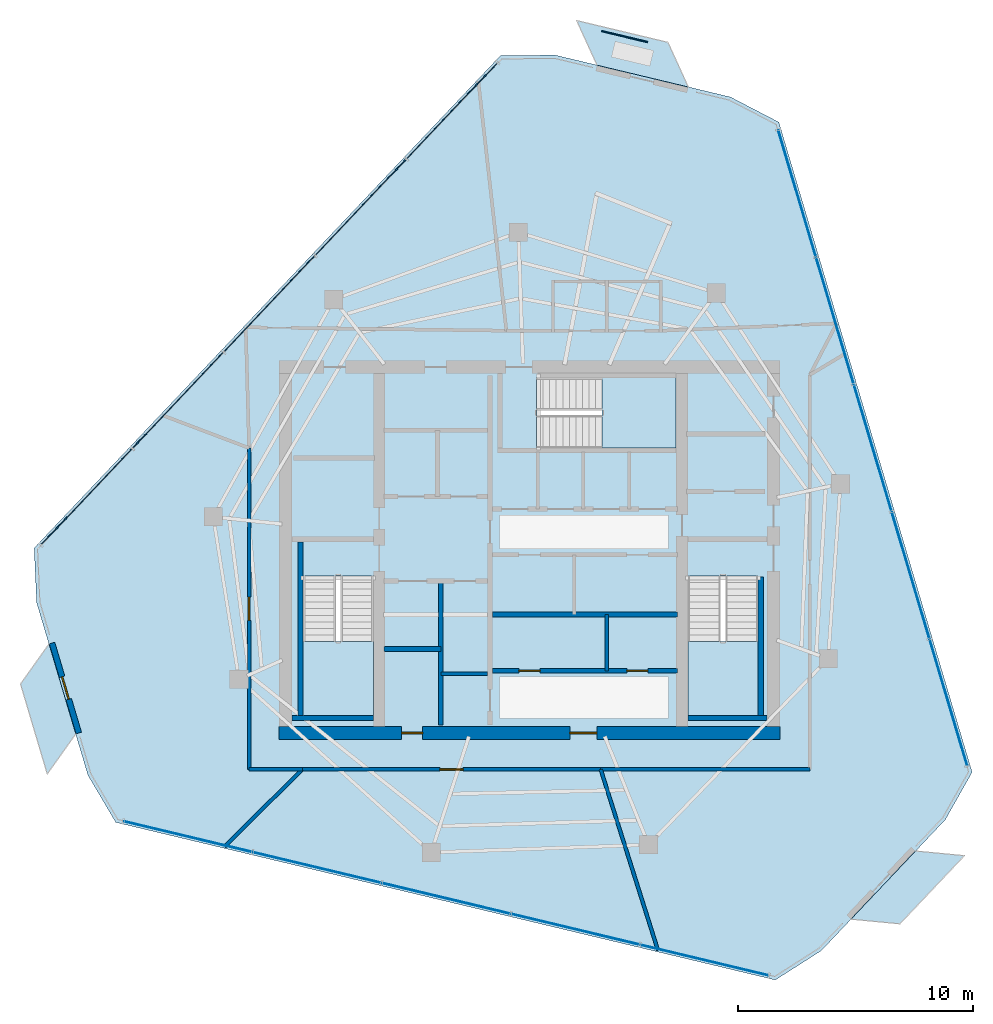
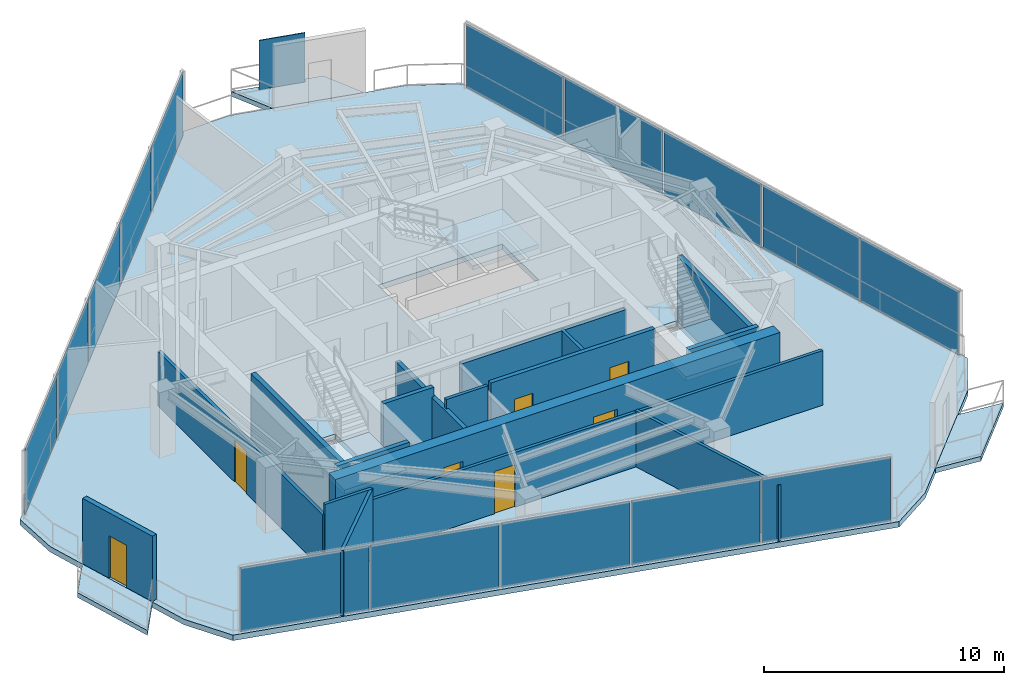
# One storey, part 14 of 18: 18 walls, 16 plates, 7 doors, 7 slabs, 7 openings, 6 elements without a shape of their own.
"""IFC4 building model written with IfcOpenShell, lengths in metres."""

from ifc_helpers import new_model, si_unit, direction, frame, frame_2d, origin, origin_2d, place, context, subcontext, project, spatial, polyline, rectangle, outline, extrude, material, layer, layer_set, type_object, element, fill, aggregate, save


model = new_model("IFC4")

# Units and contexts
model_context = context("Model", 3, precision=1e-05, world=origin(), true_north=direction((0.0, 1.0)))
body_context = subcontext(model_context, "Body", "Model", "MODEL_VIEW")
ifc_project = project(units=[si_unit("LENGTHUNIT", "METRE"), si_unit("AREAUNIT", "SQUARE_METRE"), si_unit("VOLUMEUNIT", "CUBIC_METRE"), si_unit("PLANEANGLEUNIT", "RADIAN"), si_unit("MASSUNIT", "GRAM", prefix="KILO")], contexts=[model_context])

# Site, building, storey
site_placement = place(None, origin())
site = spatial("IfcSite", under=ifc_project, at=site_placement, CompositionType="ELEMENT")
building_placement = place(site_placement, origin())
building = spatial("IfcBuilding", under=site, at=building_placement, Name="Qarnah Convention Tower", CompositionType="ELEMENT")
storey_placement = place(building_placement, frame((0.0, 0.0, 242.699951171875)))
storey = spatial("IfcBuildingStorey", under=building, at=storey_placement, Name="L65", CompositionType="ELEMENT", Elevation=242.699951171875)

# Curtain wall, plates
ifc_material_1 = material(Name="Tempered Low-E dark glass", Category="glass")
ifc_layer_1 = layer(ifc_material_1, 0.176025390625)
ifc_layer_set_1 = layer_set([ifc_layer_1], Name="Tempered Low-E dark glass")
curtain_wall_type = type_object("IfcCurtainWallType", Name="CWS-05", PredefinedType="NOTDEFINED", material=ifc_layer_set_1)
curtain_wall_1_placement = place(storey_placement, origin())
curtain_wall_1 = element("IfcCurtainWall", 1, at=curtain_wall_1_placement, inside=storey, type_object=curtain_wall_type, Name="L65 unitised curtain wall CW-L65-F1", PredefinedType="NOTDEFINED")
ifc_layer_2 = layer(ifc_material_1, 0.035888671875)
ifc_layer_set_2 = layer_set([ifc_layer_2], Name="Tempered Low-E dark glass")
plate_type_1 = type_object("IfcPlateType", Name="PNL-T5", PredefinedType="CURTAIN_PANEL", material=ifc_layer_set_2)
plate_1_placement = place(storey_placement, frame((18.3291015625, 28.67724609375, 0.0400390625), z_axis=(0.0, 0.0, 1.0), x_axis=(0.687589797822, 0.726099352658, 0.0)))
plate_1 = element("IfcPlate", 2, at=plate_1_placement, type_object=plate_type_1, Name="CW-L65-F1 curtain panel 1.1", PredefinedType="CURTAIN_PANEL", context=body_context, shape_type="SweptSolid", body=[
    extrude(rectangle(XDim=5.5810546875, YDim=0.035888671875, at=origin_2d()), origin(), (0.0, 0.0, 1.0), 3.239990234375),
])
plate_2_placement = place(storey_placement, frame((22.2216796875, 32.78759765625, 0.0400390625), z_axis=(0.0, 0.0, 1.0), x_axis=(0.687589797822, 0.726099352658, 0.0)))
plate_2 = element("IfcPlate", 3, at=plate_2_placement, type_object=plate_type_1, Name="CW-L65-F1 curtain panel 2.1", PredefinedType="CURTAIN_PANEL", context=body_context, shape_type="SweptSolid", body=[
    extrude(rectangle(XDim=5.5810546875, YDim=0.035888671875, at=origin_2d()), origin(), (0.0, 0.0, 1.0), 3.239990234375),
])
plate_3_placement = place(storey_placement, frame((26.114013671875, 36.89794921875, 0.0400390625), z_axis=(0.0, 0.0, 1.0), x_axis=(0.687589797822, 0.726099352658, 0.0)))
plate_3 = element("IfcPlate", 4, at=plate_3_placement, type_object=plate_type_1, Name="CW-L65-F1 curtain panel 3.1", PredefinedType="CURTAIN_PANEL", context=body_context, shape_type="SweptSolid", body=[
    extrude(rectangle(XDim=5.5810546875, YDim=0.035888671875, at=origin_2d()), origin(), (0.0, 0.0, 1.0), 3.239990234375),
])
plate_4_placement = place(storey_placement, frame((30.00634765625, 41.00830078125, 0.0400390625), z_axis=(0.0, 0.0, 1.0), x_axis=(0.687589797822, 0.726099352658, 0.0)))
plate_4 = element("IfcPlate", 5, at=plate_4_placement, type_object=plate_type_1, Name="CW-L65-F1 curtain panel 4.1", PredefinedType="CURTAIN_PANEL", context=body_context, shape_type="SweptSolid", body=[
    extrude(rectangle(XDim=5.5810546875, YDim=0.035888671875, at=origin_2d()), origin(), (0.0, 0.0, 1.0), 3.239990234375),
])
plate_5_placement = place(storey_placement, frame((33.898681640625, 45.118896484375, 0.0400390625), z_axis=(0.0, 0.0, 1.0), x_axis=(0.687589797822, 0.726099352658, 0.0)))
plate_5 = element("IfcPlate", 6, at=plate_5_placement, type_object=plate_type_1, Name="CW-L65-F1 curtain panel 5.1", PredefinedType="CURTAIN_PANEL", context=body_context, shape_type="SweptSolid", body=[
    extrude(rectangle(XDim=5.5810546875, YDim=0.035888671875, at=origin_2d()), origin(), (0.0, 0.0, 1.0), 3.239990234375),
])
aggregate(curtain_wall_1, [plate_1, plate_2, plate_3, plate_4, plate_5])

curtain_wall_2_placement = place(storey_placement, origin())
curtain_wall_2 = element("IfcCurtainWall", 7, at=curtain_wall_2_placement, inside=storey, type_object=curtain_wall_type, Name="L65 unitised curtain wall CW-L65-F2", PredefinedType="NOTDEFINED")
plate_6_placement = place(storey_placement, frame((48.606689453125, 41.60302734375, 0.0400390625), z_axis=(0.0, 0.0, 1.0), x_axis=(0.285022909469, -0.958520704564, 0.0)))
plate_6 = element("IfcPlate", 8, at=plate_6_placement, type_object=plate_type_1, Name="CW-L65-F2 curtain panel 1.1", PredefinedType="CURTAIN_PANEL", context=body_context, shape_type="SweptSolid", body=[
    extrude(rectangle(XDim=5.58056640625, YDim=0.035888671875, at=origin_2d()), origin(), (0.0, 0.0, 1.0), 3.239990234375),
])
plate_7_placement = place(storey_placement, frame((50.22021484375, 36.17724609375, 0.0400390625), z_axis=(0.0, 0.0, 1.0), x_axis=(0.285022909469, -0.958520704564, 0.0)))
plate_7 = element("IfcPlate", 9, at=plate_7_placement, type_object=plate_type_1, Name="CW-L65-F2 curtain panel 2.1", PredefinedType="CURTAIN_PANEL", context=body_context, shape_type="SweptSolid", body=[
    extrude(rectangle(XDim=5.58056640625, YDim=0.035888671875, at=origin_2d()), origin(), (0.0, 0.0, 1.0), 3.239990234375),
])
plate_8_placement = place(storey_placement, frame((51.83349609375, 30.75146484375, 0.0400390625), z_axis=(0.0, 0.0, 1.0), x_axis=(0.285022909469, -0.958520704564, 0.0)))
plate_8 = element("IfcPlate", 10, at=plate_8_placement, type_object=plate_type_1, Name="CW-L65-F2 curtain panel 3.1", PredefinedType="CURTAIN_PANEL", context=body_context, shape_type="SweptSolid", body=[
    extrude(rectangle(XDim=5.58056640625, YDim=0.035888671875, at=origin_2d()), origin(), (0.0, 0.0, 1.0), 3.239990234375),
])
plate_9_placement = place(storey_placement, frame((53.447021484375, 25.32568359375, 0.0400390625), z_axis=(0.0, 0.0, 1.0), x_axis=(0.285022909469, -0.958520704564, 0.0)))
plate_9 = element("IfcPlate", 11, at=plate_9_placement, type_object=plate_type_1, Name="CW-L65-F2 curtain panel 4.1", PredefinedType="CURTAIN_PANEL", context=body_context, shape_type="SweptSolid", body=[
    extrude(rectangle(XDim=5.58056640625, YDim=0.035888671875, at=origin_2d()), origin(), (0.0, 0.0, 1.0), 3.239990234375),
])
plate_10_placement = place(storey_placement, frame((55.060302734375, 19.89990234375, 0.0400390625), z_axis=(0.0, 0.0, 1.0), x_axis=(0.285022909469, -0.958520704564, 0.0)))
plate_10 = element("IfcPlate", 12, at=plate_10_placement, type_object=plate_type_1, Name="CW-L65-F2 curtain panel 5.1", PredefinedType="CURTAIN_PANEL", context=body_context, shape_type="SweptSolid", body=[
    extrude(rectangle(XDim=5.58056640625, YDim=0.035888671875, at=origin_2d()), origin(), (0.0, 0.0, 1.0), 3.239990234375),
])
aggregate(curtain_wall_2, [plate_6, plate_7, plate_8, plate_9, plate_10])

curtain_wall_3_placement = place(storey_placement, origin())
curtain_wall_3 = element("IfcCurtainWall", 13, at=curtain_wall_3_placement, inside=storey, type_object=curtain_wall_type, Name="L65 unitised curtain wall CW-L65-F3", PredefinedType="NOTDEFINED")
plate_11_placement = place(storey_placement, frame((44.662353515625, 8.9189453125, 0.0400390625), z_axis=(0.0, 0.0, 1.0), x_axis=(-0.972607205471, 0.232454778111, 0.0)))
plate_11 = element("IfcPlate", 14, at=plate_11_placement, type_object=plate_type_1, Name="CW-L65-F3 curtain panel 1.1", PredefinedType="CURTAIN_PANEL", context=body_context, shape_type="SweptSolid", body=[
    extrude(rectangle(XDim=5.58056640625, YDim=0.035888671875, at=origin_2d()), origin(), (0.0, 0.0, 1.0), 3.239990234375),
])
plate_12_placement = place(storey_placement, frame((39.156982421875, 10.234619140625, 0.0400390625), z_axis=(0.0, 0.0, 1.0), x_axis=(-0.972607205471, 0.232454778111, 0.0)))
plate_12 = element("IfcPlate", 15, at=plate_12_placement, type_object=plate_type_1, Name="CW-L65-F3 curtain panel 2.1", PredefinedType="CURTAIN_PANEL", context=body_context, shape_type="SweptSolid", body=[
    extrude(rectangle(XDim=5.58056640625, YDim=0.035888671875, at=origin_2d()), origin(), (0.0, 0.0, 1.0), 3.239990234375),
])
plate_13_placement = place(storey_placement, frame((33.651611328125, 11.550537109375, 0.0400390625), z_axis=(0.0, 0.0, 1.0), x_axis=(-0.972607205471, 0.232454778111, 0.0)))
plate_13 = element("IfcPlate", 16, at=plate_13_placement, type_object=plate_type_1, Name="CW-L65-F3 curtain panel 3.1", PredefinedType="CURTAIN_PANEL", context=body_context, shape_type="SweptSolid", body=[
    extrude(rectangle(XDim=5.58056640625, YDim=0.035888671875, at=origin_2d()), origin(), (0.0, 0.0, 1.0), 3.239990234375),
])
plate_14_placement = place(storey_placement, frame((28.14599609375, 12.8662109375, 0.0400390625), z_axis=(0.0, 0.0, 1.0), x_axis=(-0.972607205471, 0.232454778111, 0.0)))
plate_14 = element("IfcPlate", 17, at=plate_14_placement, type_object=plate_type_1, Name="CW-L65-F3 curtain panel 4.1", PredefinedType="CURTAIN_PANEL", context=body_context, shape_type="SweptSolid", body=[
    extrude(rectangle(XDim=5.58056640625, YDim=0.035888671875, at=origin_2d()), origin(), (0.0, 0.0, 1.0), 3.239990234375),
])
plate_15_placement = place(storey_placement, frame((22.640625, 14.18212890625, 0.0400390625), z_axis=(0.0, 0.0, 1.0), x_axis=(-0.972607205471, 0.232454778111, 0.0)))
plate_15 = element("IfcPlate", 18, at=plate_15_placement, type_object=plate_type_1, Name="CW-L65-F3 curtain panel 5.1", PredefinedType="CURTAIN_PANEL", context=body_context, shape_type="SweptSolid", body=[
    extrude(rectangle(XDim=5.58056640625, YDim=0.035888671875, at=origin_2d()), origin(), (0.0, 0.0, 1.0), 3.239990234375),
])
aggregate(curtain_wall_3, [plate_11, plate_12, plate_13, plate_14, plate_15])

# Plate
ifc_material_2 = material(Name="Black anodised aluminium", Category="aluminium")
ifc_layer_3 = layer(ifc_material_2, 0.044921875)
ifc_layer_set_3 = layer_set([ifc_layer_3], Name="Black anodised aluminium")
plate_type_2 = type_object("IfcPlateType", Name="SCR-BAL-18", PredefinedType="USERDEFINED", material=ifc_layer_set_3)
plate_16_placement = place(storey_placement, frame((41.257080078125, 48.285888671875, 0.0), z_axis=(0.0, 0.0, 1.0), x_axis=(0.97259112891, -0.23252203329, 0.0)))
element("IfcPlate", 19, at=plate_16_placement, inside=storey, type_object=plate_type_2, Name="L65 perforated desert solar screen BAL-L65-C1", ObjectType="SCREEN", PredefinedType="USERDEFINED", context=body_context, shape_type="SweptSolid", body=[
    extrude(rectangle(XDim=2.0, YDim=0.044921875, at=origin_2d()), origin(), (0.0, 0.0, 1.0), 2.5),
])

# Slabs
ifc_material_3 = material(Name="Concrete C45/55", Category="concrete")
ifc_layer_4 = layer(ifc_material_3, 0.239990234375)
ifc_layer_set_4 = layer_set([ifc_layer_4], Name="Concrete C45/55")
slab_type_1 = type_object("IfcSlabType", Name="SLB-BAL-240", PredefinedType="USERDEFINED", material=ifc_layer_set_4)
slab_1_placement = place(storey_placement, frame((0.0, 0.0, -0.239990234375)))
element("IfcSlab", 20, at=slab_1_placement, inside=storey, type_object=slab_type_1, Name="L65 cantilevered balcony slab BAL-L65-C1", ObjectType="BALCONY", PredefinedType="USERDEFINED", context=body_context, shape_type="SweptSolid", body=[
    extrude(outline(polyline([(39.2119140625, 48.968994140625), (43.10205078125, 48.0390625), (43.970947265625, 46.135986328125), (40.08203125, 47.06494140625), (39.2119140625, 48.968994140625)])), origin(), (0.0, 0.0, 1.0), 0.239990234375),
])
slab_2_placement = place(storey_placement, frame((0.0, 0.0, -0.239990234375)))
element("IfcSlab", 21, at=slab_2_placement, inside=storey, type_object=slab_type_1, Name="L65 cantilevered balcony slab BAL-L65-C2", ObjectType="BALCONY", PredefinedType="USERDEFINED", context=body_context, shape_type="SweptSolid", body=[
    extrude(outline(polyline([(16.64892578125, 16.85791015625), (15.509033203125, 20.69189453125), (16.722900390625, 22.39794921875), (17.863037109375, 18.56396484375), (16.64892578125, 16.85791015625)])), origin(), (0.0, 0.0, 1.0), 0.239990234375),
])
slab_3_placement = place(storey_placement, frame((0.0, 0.0, -0.239990234375)))
element("IfcSlab", 22, at=slab_3_placement, inside=storey, type_object=slab_type_1, Name="L65 cantilevered balcony slab BAL-L65-C3", ObjectType="BALCONY", PredefinedType="USERDEFINED", context=body_context, shape_type="SweptSolid", body=[
    extrude(outline(polyline([(55.739013671875, 13.3740234375), (52.989013671875, 10.468994140625), (50.906005859375, 10.66796875), (53.656005859375, 13.572021484375), (55.739013671875, 13.3740234375)])), origin(), (0.0, 0.0, 1.0), 0.239990234375),
])

# Stair, slab
ifc_material_4 = material(Name="Concrete C50/60", Category="concrete")
stair_type = type_object("IfcStairType", Name="STR-OFF", PredefinedType="HALF_TURN_STAIR", material=ifc_material_4)
stair_1_placement = place(storey_placement, origin())
stair_1 = element("IfcStair", 23, at=stair_1_placement, inside=storey, type_object=stair_type, Name="L65 Core exit stair ST-1", PredefinedType="HALF_TURN_STAIR")
ifc_layer_5 = layer(ifc_material_4, 0.199951171875)
ifc_layer_set_5 = layer_set([ifc_layer_5], Name="Concrete C50/60")
slab_type_2 = type_object("IfcSlabType", Name="SLB-LANDING-200", PredefinedType="LANDING", material=ifc_layer_set_5)
slab_4_placement = place(storey_placement, frame((0.0, 0.0, 1.60009765625)))
slab_4 = element("IfcSlab", 24, at=slab_4_placement, type_object=slab_type_2, Name="ST-1 landing 1", PredefinedType="LANDING", context=body_context, shape_type="SweptSolid", body=[
    extrude(outline(polyline([(27.550048828125, 22.5), (27.550048828125, 19.35009765625), (30.550048828125, 19.35009765625), (30.550048828125, 22.5), (27.550048828125, 22.5)])), origin(), (0.0, 0.0, 1.0), 0.199951171875),
])
aggregate(stair_1, [slab_4])

stair_2_placement = place(storey_placement, origin())
stair_2 = element("IfcStair", 25, at=stair_2_placement, inside=storey, type_object=stair_type, Name="L65 Core exit stair ST-2", PredefinedType="HALF_TURN_STAIR")
slab_5_placement = place(storey_placement, frame((0.0, 0.0, 1.60009765625)))
slab_5 = element("IfcSlab", 26, at=slab_5_placement, type_object=slab_type_2, Name="ST-2 landing 1", PredefinedType="LANDING", context=body_context, shape_type="SweptSolid", body=[
    extrude(outline(polyline([(43.949951171875, 22.5), (43.949951171875, 19.35009765625), (46.949951171875, 19.35009765625), (46.949951171875, 22.5), (43.949951171875, 22.5)])), origin(), (0.0, 0.0, 1.0), 0.199951171875),
])
aggregate(stair_2, [slab_5])

stair_3_placement = place(storey_placement, origin())
stair_3 = element("IfcStair", 27, at=stair_3_placement, inside=storey, type_object=stair_type, Name="L65 Core exit stair ST-3", PredefinedType="HALF_TURN_STAIR")
slab_6_placement = place(storey_placement, frame((0.0, 0.0, 1.60009765625)))
slab_6 = element("IfcSlab", 28, at=slab_6_placement, type_object=slab_type_2, Name="ST-3 landing 1", PredefinedType="LANDING", context=body_context, shape_type="SweptSolid", body=[
    extrude(outline(polyline([(40.300048828125, 30.75), (43.449951171875, 30.75), (43.449951171875, 33.75), (40.300048828125, 33.75), (40.300048828125, 30.75)])), origin(), (0.0, 0.0, 1.0), 0.199951171875),
])
aggregate(stair_3, [slab_6])

# Slab
ifc_layer_6 = layer(ifc_material_3, 0.280029296875)
ifc_layer_set_6 = layer_set([ifc_layer_6], Name="Concrete C45/55")
slab_type_3 = type_object("IfcSlabType", Name="SLB-TWR-280", PredefinedType="FLOOR", material=ifc_layer_set_6)
slab_7_placement = place(storey_placement, frame((0.0, 0.0, -0.280029296875)))
element("IfcSlab", 29, at=slab_7_placement, inside=storey, type_object=slab_type_3, Name="L65 structural floor slab", PredefinedType="FLOOR", context=body_context, shape_type="SweptSolid", body=[
    extrude(outline(polyline([(35.964111328125, 47.47412109375), (16.090087890625, 26.487060546875), (16.195068359375, 24.158935546875), (18.383056640625, 16.800048828125), (19.568115234375, 14.79296875), (47.678955078125, 8.074951171875), (49.64404296875, 9.3291015625), (54.923095703125, 14.904052734375), (56.068115234375, 16.93408203125), (47.830078125, 44.637939453125), (45.761962890625, 45.7119140625), (38.294921875, 47.49609375), (35.964111328125, 47.47412109375)]), holes=[polyline([(27.550048828125, 25.300048828125), (27.550048828125, 19.35009765625), (30.550048828125, 19.35009765625), (30.550048828125, 25.300048828125), (27.550048828125, 25.300048828125)]), polyline([(43.949951171875, 25.300048828125), (43.949951171875, 19.35009765625), (46.949951171875, 19.35009765625), (46.949951171875, 25.300048828125), (43.949951171875, 25.300048828125)]), polyline([(37.5, 30.75), (43.449951171875, 30.75), (43.449951171875, 33.75), (37.5, 33.75), (37.5, 30.75)])]), origin(), (0.0, 0.0, 1.0), 0.280029296875),
])

# Wall, openings, doors
ifc_material_5 = material(Name="Concrete C60/75", Category="concrete")
ifc_layer_7 = layer(ifc_material_5, 0.550048828125)
ifc_layer_set_7 = layer_set([ifc_layer_7], Name="Concrete C60/75")
wall_type_1 = type_object("IfcWallType", Name="WL-CORE-550", PredefinedType="SHEAR", material=ifc_layer_set_7)
wall_1_placement = place(storey_placement, frame((26.52490234375, 18.60009765625, 0.0), z_axis=(0.0, 0.0, 1.0), x_axis=(1.0, 0.0, 0.0)))
wall_1 = element("IfcWall", 30, at=wall_1_placement, inside=storey, type_object=wall_type_1, Name="L65 core south shear wall", PredefinedType="SHEAR", context=body_context, shape_type="SweptSolid", body=[
    extrude(rectangle(XDim=21.35009765625, YDim=0.550048828125, at=frame_2d((10.675048828125, 0.0))), origin(), (0.0, 0.0, 1.0), 3.320068359375),
])
opening_1_placement = place(wall_1_placement, frame((12.39990234375, 0.0, 0.0)))
opening_1 = element("IfcOpeningElement", 31, at=opening_1_placement, cuts=wall_1, Name="Opening D-6507", PredefinedType="OPENING", context=body_context, shape_type="SweptSolid", body=[
    extrude(rectangle(XDim=1.14990234375, YDim=2.14990234375, at=frame_2d((0.574951171875, 1.074951171875))), frame((0.0, 0.284912109375, 0.0), z_axis=(0.0, -1.0, 0.0), x_axis=(1.0, 0.0, 0.0)), (0.0, 0.0, 1.0), 0.570068359375),
])
opening_2_placement = place(wall_1_placement, frame((5.22509765625, 0.0, 0.0)))
opening_2 = element("IfcOpeningElement", 32, at=opening_2_placement, cuts=wall_1, Name="Opening D-6513", PredefinedType="OPENING", context=body_context, shape_type="SweptSolid", body=[
    extrude(rectangle(XDim=0.89990234375, YDim=2.10009765625, at=frame_2d((0.449951171875, 1.050048828125))), frame((0.0, 0.284912109375, 0.0), z_axis=(0.0, -1.0, 0.0), x_axis=(1.0, 0.0, 0.0)), (0.0, 0.0, 1.0), 0.570068359375),
])
ifc_material_6 = material(Name="Structural steel S355JR", Category="steel")
door_type_1 = type_object("IfcDoorType", Name="DT-LOBBY-1150", OperationType="NOTDEFINED", PredefinedType="DOOR", material=ifc_material_6)
door_1_placement = place(opening_1_placement, origin())
door_1 = element("IfcDoor", 33, at=door_1_placement, inside=storey, type_object=door_type_1, Name="Door D-6507", OperationType="SINGLE_SWING_RIGHT", OverallHeight=2.14990234375, OverallWidth=1.14990234375, PredefinedType="DOOR", context=body_context, shape_type="SweptSolid", body=[
    extrude(rectangle(XDim=1.14990234375, YDim=2.14990234375, at=frame_2d((0.574951171875, 1.074951171875))), frame((0.0, 0.02490234375, 0.0), z_axis=(0.0, -1.0, 0.0), x_axis=(1.0, 0.0, 0.0)), (0.0, 0.0, 1.0), 0.050048828125),
])
fill(opening_1, door_1)
door_type_2 = type_object("IfcDoorType", Name="DT-RISER-900", OperationType="NOTDEFINED", PredefinedType="DOOR", material=ifc_material_6)
door_2_placement = place(opening_2_placement, origin())
door_2 = element("IfcDoor", 34, at=door_2_placement, inside=storey, type_object=door_type_2, Name="Door D-6513", OperationType="SINGLE_SWING_RIGHT", OverallHeight=2.10009765625, OverallWidth=0.89990234375, PredefinedType="DOOR", context=body_context, shape_type="SweptSolid", body=[
    extrude(rectangle(XDim=0.89990234375, YDim=2.10009765625, at=frame_2d((0.449951171875, 1.050048828125))), frame((0.0, 0.02490234375, 0.0), z_axis=(0.0, -1.0, 0.0), x_axis=(1.0, 0.0, 0.0)), (0.0, 0.0, 1.0), 0.050048828125),
])
fill(opening_2, door_2)

# Walls
ifc_layer_8 = layer(ifc_material_3, 0.199951171875)
ifc_layer_set_8 = layer_set([ifc_layer_8], Name="Concrete C45/55")
wall_type_2 = type_object("IfcWallType", Name="WL-CORE-PART-200", PredefinedType="SOLIDWALL", material=ifc_layer_set_8)
wall_2_placement = place(storey_placement, frame((33.419921875, 18.949951171875, 0.0), z_axis=(0.0, 0.0, 1.0), x_axis=(0.0, 1.0, 0.0)))
element("IfcWall", 35, at=wall_2_placement, inside=storey, type_object=wall_type_2, Name="L65 interior wall IW-L65-SVLE", PredefinedType="SOLIDWALL", context=body_context, shape_type="SweptSolid", body=[
    extrude(rectangle(XDim=6.130126953125, YDim=0.199951171875, at=frame_2d((3.06494140625, 0.0))), origin(), (0.0, 0.0, 1.0), 2.841064453125),
])
wall_3_placement = place(storey_placement, frame((31.0, 22.179931640625, 0.0), z_axis=(0.0, 0.0, 1.0), x_axis=(1.0, 0.0, 0.0)))
element("IfcWall", 36, at=wall_3_placement, inside=storey, type_object=wall_type_2, Name="L65 interior wall IW-L65-SVLS", PredefinedType="SOLIDWALL", context=body_context, shape_type="SweptSolid", body=[
    extrude(rectangle(XDim=2.419921875, YDim=0.199951171875, at=frame_2d((1.2099609375, 0.0))), origin(), (0.0, 0.0, 1.0), 3.320068359375),
])
wall_4_placement = place(storey_placement, frame((35.6201171875, 23.64990234375, 0.0), z_axis=(0.0, 0.0, 1.0), x_axis=(1.0, 0.0, 0.0)))
element("IfcWall", 37, at=wall_4_placement, inside=storey, type_object=wall_type_2, Name="L65 interior wall IW-L65-PMPL", PredefinedType="SOLIDWALL", context=body_context, shape_type="SweptSolid", body=[
    extrude(rectangle(XDim=7.8798828125, YDim=0.199951171875, at=frame_2d((3.93994140625, 0.0))), origin(), (0.0, 0.0, 1.0), 2.841064453125),
])

# Wall, openings, doors
wall_5_placement = place(storey_placement, frame((35.6201171875, 21.25, 0.0), z_axis=(0.0, 0.0, 1.0), x_axis=(1.0, 0.0, 0.0)))
wall_5 = element("IfcWall", 38, at=wall_5_placement, inside=storey, type_object=wall_type_2, Name="L65 interior wall IW-L65-PLS", PredefinedType="SOLIDWALL", context=body_context, shape_type="SweptSolid", body=[
    extrude(rectangle(XDim=7.8798828125, YDim=0.199951171875, at=frame_2d((3.93994140625, 0.0))), origin(), (0.0, 0.0, 1.0), 3.320068359375),
])
opening_3_placement = place(wall_5_placement, frame((1.1298828125, 0.0, 0.0)))
opening_3 = element("IfcOpeningElement", 39, at=opening_3_placement, cuts=wall_5, Name="Opening D-6516", PredefinedType="OPENING", context=body_context, shape_type="SweptSolid", body=[
    extrude(rectangle(XDim=0.89990234375, YDim=2.10009765625, at=frame_2d((0.449951171875, 1.050048828125))), frame((0.0, 0.10986328125, 0.0), z_axis=(0.0, -1.0, 0.0), x_axis=(1.0, 0.0, 0.0)), (0.0, 0.0, 1.0), 0.219970703125),
])
opening_4_placement = place(wall_5_placement, frame((5.72998046875, 0.0, 0.0)))
opening_4 = element("IfcOpeningElement", 40, at=opening_4_placement, cuts=wall_5, Name="Opening D-6517", PredefinedType="OPENING", context=body_context, shape_type="SweptSolid", body=[
    extrude(rectangle(XDim=0.89990234375, YDim=2.10009765625, at=frame_2d((0.449951171875, 1.050048828125))), frame((0.0, 0.10986328125, 0.0), z_axis=(0.0, -1.0, 0.0), x_axis=(1.0, 0.0, 0.0)), (0.0, 0.0, 1.0), 0.219970703125),
])
door_3_placement = place(opening_3_placement, origin())
door_3 = element("IfcDoor", 41, at=door_3_placement, inside=storey, type_object=door_type_2, Name="Door D-6516", OperationType="SINGLE_SWING_LEFT", OverallHeight=2.10009765625, OverallWidth=0.89990234375, PredefinedType="DOOR", context=body_context, shape_type="SweptSolid", body=[
    extrude(rectangle(XDim=0.89990234375, YDim=2.10009765625, at=frame_2d((0.449951171875, 1.050048828125))), frame((0.0, 0.02490234375, 0.0), z_axis=(0.0, -1.0, 0.0), x_axis=(1.0, 0.0, 0.0)), (0.0, 0.0, 1.0), 0.050048828125),
])
fill(opening_3, door_3)
door_4_placement = place(opening_4_placement, origin())
door_4 = element("IfcDoor", 42, at=door_4_placement, inside=storey, type_object=door_type_2, Name="Door D-6517", OperationType="SINGLE_SWING_RIGHT", OverallHeight=2.10009765625, OverallWidth=0.89990234375, PredefinedType="DOOR", context=body_context, shape_type="SweptSolid", body=[
    extrude(rectangle(XDim=0.89990234375, YDim=2.10009765625, at=frame_2d((0.449951171875, 1.050048828125))), frame((0.0, 0.02490234375, 0.0), z_axis=(0.0, -1.0, 0.0), x_axis=(1.0, 0.0, 0.0)), (0.0, 0.0, 1.0), 0.050048828125),
])
fill(opening_4, door_4)

# Walls
ifc_layer_9 = layer(ifc_material_5, 0.219970703125)
ifc_layer_set_9 = layer_set([ifc_layer_9], Name="Concrete C60/75")
wall_type_3 = type_object("IfcWallType", Name="WL-CORE-STAIR-220", PredefinedType="SHEAR", material=ifc_layer_set_9)
wall_6_placement = place(storey_placement, frame((27.43994140625, 19.35009765625, 0.0), z_axis=(0.0, 0.0, 1.0), x_axis=(0.0, 1.0, 0.0)))
element("IfcWall", 43, at=wall_6_placement, inside=storey, type_object=wall_type_3, Name="L65 stair shaft shear wall SW-L65-ST1W", PredefinedType="SHEAR", context=body_context, shape_type="SweptSolid", body=[
    extrude(rectangle(XDim=7.39990234375, YDim=0.219970703125, at=frame_2d((3.699951171875, 0.0))), origin(), (0.0, 0.0, 1.0), 3.320068359375),
])
wall_7_placement = place(storey_placement, frame((27.074951171875, 19.239990234375, 0.0), z_axis=(0.0, 0.0, 1.0), x_axis=(1.0, 0.0, 0.0)))
element("IfcWall", 44, at=wall_7_placement, inside=storey, type_object=wall_type_3, Name="L65 stair shaft shear wall SW-L65-ST1S", PredefinedType="SHEAR", context=body_context, shape_type="SweptSolid", body=[
    extrude(rectangle(XDim=3.47509765625, YDim=0.219970703125, at=frame_2d((1.737548828125, 0.0))), origin(), (0.0, 0.0, 1.0), 3.320068359375),
])
wall_8_placement = place(storey_placement, frame((47.06005859375, 19.35009765625, 0.0), z_axis=(0.0, 0.0, 1.0), x_axis=(0.0, 1.0, 0.0)))
element("IfcWall", 45, at=wall_8_placement, inside=storey, type_object=wall_type_3, Name="L65 stair shaft shear wall SW-L65-ST2E", PredefinedType="SHEAR", context=body_context, shape_type="SweptSolid", body=[
    extrude(rectangle(XDim=5.89990234375, YDim=0.219970703125, at=frame_2d((2.949951171875, 0.0))), origin(), (0.0, 0.0, 1.0), 3.320068359375),
])
wall_9_placement = place(storey_placement, frame((43.949951171875, 19.239990234375, 0.0), z_axis=(0.0, 0.0, 1.0), x_axis=(1.0, 0.0, 0.0)))
element("IfcWall", 46, at=wall_9_placement, inside=storey, type_object=wall_type_3, Name="L65 stair shaft shear wall SW-L65-ST2S", PredefinedType="SHEAR", context=body_context, shape_type="SweptSolid", body=[
    extrude(rectangle(XDim=3.375, YDim=0.219970703125, at=frame_2d((1.6875, 0.0))), origin(), (0.0, 0.0, 1.0), 3.320068359375),
])

# Wall, opening, door
ifc_material_7 = material(Name="Precast concrete C45/55", Category="concrete")
ifc_layer_10 = layer(ifc_material_7, 0.239990234375)
ifc_layer_set_10 = layer_set([ifc_layer_10], Name="Precast concrete C45/55")
wall_type_4 = type_object("IfcWallType", Name="WL-EXT-BAL-240", PredefinedType="SOLIDWALL", material=ifc_layer_set_10)
wall_10_placement = place(storey_placement, frame((17.992919921875, 18.60205078125, 0.0), z_axis=(0.0, 0.0, 1.0), x_axis=(-0.284983909312, 0.958532300673, 0.0)))
wall_10 = element("IfcWall", 47, at=wall_10_placement, inside=storey, type_object=wall_type_4, Name="L65 loggia threshold wall BAL-L65-C2", PredefinedType="SOLIDWALL", context=body_context, shape_type="SweptSolid", body=[
    extrude(rectangle(XDim=3.999755859375, YDim=0.239990234375, at=frame_2d((2.0, 0.0))), origin(), (0.0, 0.0, 1.0), 3.320068359375),
])
opening_5_placement = place(wall_10_placement, frame((1.5, 0.0, 0.0)))
opening_5 = element("IfcOpeningElement", 48, at=opening_5_placement, cuts=wall_10, Name="Opening BD-6502", PredefinedType="OPENING", context=body_context, shape_type="SweptSolid", body=[
    extrude(rectangle(XDim=1.0, YDim=2.14990234375, at=frame_2d((0.5, 1.074951171875))), frame((0.0, 0.1298828125, 0.0), z_axis=(0.0, -1.0, 0.0), x_axis=(1.0, 0.0, 0.0)), (0.0, 0.0, 1.0), 0.260009765625),
])
door_type_3 = type_object("IfcDoorType", Name="DT-BAL-1000", OperationType="NOTDEFINED", PredefinedType="DOOR", material=ifc_material_2)
door_5_placement = place(opening_5_placement, origin())
door_5 = element("IfcDoor", 49, at=door_5_placement, inside=storey, type_object=door_type_3, Name="L65 balcony terrace door BAL-L65-C2", OperationType="SINGLE_SWING_LEFT", OverallHeight=2.14990234375, OverallWidth=1.0, PredefinedType="DOOR", context=body_context, shape_type="SweptSolid", body=[
    extrude(rectangle(XDim=1.0, YDim=2.14990234375, at=frame_2d((0.5, 1.074951171875))), frame((0.0, 0.02490234375, 0.0), z_axis=(0.0, -1.0, 0.0), x_axis=(1.0, 0.0, 0.0)), (0.0, 0.0, 1.0), 0.050048828125),
])
fill(opening_5, door_5)

# Walls
ifc_material_8 = material(Name="Gypsum partition board")
ifc_layer_11 = layer(ifc_material_8, 0.14990234375)
ifc_layer_set_11 = layer_set([ifc_layer_11], Name="Gypsum partition board")
wall_type_5 = type_object("IfcWallType", Name="WL-SUITE-150", PredefinedType="PARTITIONING", material=ifc_layer_set_11)
wall_11_placement = place(storey_placement, frame((33.419921875, 21.1201171875, 0.0), z_axis=(0.0, 0.0, 1.0), x_axis=(1.0, 0.0, 0.0)))
element("IfcWall", 50, at=wall_11_placement, inside=storey, type_object=wall_type_5, Name="L65 interior wall IW-L65-CSV1", PredefinedType="PARTITIONING", context=body_context, shape_type="SweptSolid", body=[
    extrude(rectangle(XDim=2.0, YDim=0.14990234375, at=frame_2d((1.0, 0.0))), origin(), (0.0, 0.0, 1.0), 3.320068359375),
])
wall_12_placement = place(storey_placement, frame((40.5, 21.25, 0.0), z_axis=(0.0, 0.0, 1.0), x_axis=(0.0, 1.0, 0.0)))
element("IfcWall", 51, at=wall_12_placement, inside=storey, type_object=wall_type_5, Name="L65 interior wall IW-L65-PLFD", PredefinedType="PARTITIONING", context=body_context, shape_type="SweptSolid", body=[
    extrude(rectangle(XDim=2.39990234375, YDim=0.14990234375, at=frame_2d((1.199951171875, 0.0))), origin(), (0.0, 0.0, 1.0), 2.841064453125),
])
wall_13_placement = place(storey_placement, frame((24.198974609375, 13.756103515625, 0.0), z_axis=(0.0, 0.0, 1.0), x_axis=(0.709790467062, 0.704412871026, 0.0)))
element("IfcWall", 52, at=wall_13_placement, inside=storey, type_object=wall_type_5, Name="L65 interior wall IW-L65-R-16", PredefinedType="PARTITIONING", context=body_context, shape_type="SweptSolid", body=[
    extrude(rectangle(XDim=4.67626953125, YDim=0.14990234375, at=frame_2d((2.338134765625, 0.0))), origin(), (0.0, 0.0, 1.0), 3.320068359375),
])
wall_14_placement = place(storey_placement, frame((27.51806640625, 17.050048828125, 0.0), z_axis=(0.0, 0.0, 1.0), x_axis=(-1.0, 0.0, 0.0)))
element("IfcWall", 53, at=wall_14_placement, inside=storey, type_object=wall_type_5, Name="L65 interior wall IW-L65-R-17", PredefinedType="PARTITIONING", context=body_context, shape_type="SweptSolid", body=[
    extrude(rectangle(XDim=2.26806640625, YDim=0.14990234375, at=frame_2d((1.134033203125, 0.0))), origin(), (0.0, 0.0, 1.0), 3.320068359375),
])

# Wall, opening, door
wall_15_placement = place(storey_placement, frame((25.25, 17.050048828125, 0.0), z_axis=(0.0, 0.0, 1.0), x_axis=(0.0, 1.0, 0.0)))
wall_15 = element("IfcWall", 54, at=wall_15_placement, inside=storey, type_object=wall_type_5, Name="L65 interior wall IW-L65-R-18", PredefinedType="PARTITIONING", context=body_context, shape_type="SweptSolid", body=[
    extrude(rectangle(XDim=13.698974609375, YDim=0.14990234375, at=frame_2d((6.849609375, 0.0))), origin(), (0.0, 0.0, 1.0), 2.76904296875),
])
opening_6_placement = place(wall_15_placement, frame((6.34912109375, 0.0, 0.0)))
opening_6 = element("IfcOpeningElement", 55, at=opening_6_placement, cuts=wall_15, Name="Opening D-6524", PredefinedType="OPENING", context=body_context, shape_type="SweptSolid", body=[
    extrude(rectangle(XDim=1.0, YDim=2.14990234375, at=frame_2d((0.5, 1.074951171875))), frame((0.0, 0.0849609375, 0.0), z_axis=(0.0, -1.0, 0.0), x_axis=(1.0, 0.0, 0.0)), (0.0, 0.0, 1.0), 0.169921875),
])
ifc_material_9 = material(Name="Oak timber veneer", Category="wood")
door_type_4 = type_object("IfcDoorType", Name="DT-OFFICE-1000", OperationType="NOTDEFINED", PredefinedType="DOOR", material=ifc_material_9)
door_6_placement = place(opening_6_placement, origin())
door_6 = element("IfcDoor", 56, at=door_6_placement, inside=storey, type_object=door_type_4, Name="Door D-6524", OperationType="SINGLE_SWING_LEFT", OverallHeight=2.14990234375, OverallWidth=1.0, PredefinedType="DOOR", context=body_context, shape_type="SweptSolid", body=[
    extrude(rectangle(XDim=1.0, YDim=2.14990234375, at=frame_2d((0.5, 1.074951171875))), frame((0.0, 0.02490234375, 0.0), z_axis=(0.0, -1.0, 0.0), x_axis=(1.0, 0.0, 0.0)), (0.0, 0.0, 1.0), 0.050048828125),
])
fill(opening_6, door_6)

# Wall
wall_16_placement = place(storey_placement, frame((42.677978515625, 9.341064453125, 0.0), z_axis=(0.0, 0.0, 1.0), x_axis=(-0.301752664045, 0.953386243734, 0.0)))
element("IfcWall", 57, at=wall_16_placement, inside=storey, type_object=wall_type_5, Name="L65 interior wall IW-L65-R-19", PredefinedType="PARTITIONING", context=body_context, shape_type="SweptSolid", body=[
    extrude(rectangle(XDim=8.0859375, YDim=0.14990234375, at=frame_2d((4.04296875, 0.0))), origin(), (0.0, 0.0, 1.0), 2.844970703125),
])

# Wall, opening, door
wall_17_placement = place(storey_placement, frame((40.238037109375, 17.050048828125, 0.0), z_axis=(0.0, 0.0, 1.0), x_axis=(-1.0, 0.0, 0.0)))
wall_17 = element("IfcWall", 58, at=wall_17_placement, inside=storey, type_object=wall_type_5, Name="L65 interior wall IW-L65-R-20", PredefinedType="PARTITIONING", context=body_context, shape_type="SweptSolid", body=[
    extrude(rectangle(XDim=12.719970703125, YDim=0.14990234375, at=frame_2d((6.35986328125, 0.0))), origin(), (0.0, 0.0, 1.0), 2.76904296875),
])
opening_7_placement = place(wall_17_placement, frame((5.860107421875, 0.0, 0.0)))
opening_7 = element("IfcOpeningElement", 59, at=opening_7_placement, cuts=wall_17, Name="Opening D-6525", PredefinedType="OPENING", context=body_context, shape_type="SweptSolid", body=[
    extrude(rectangle(XDim=1.0, YDim=2.14990234375, at=frame_2d((0.5, 1.074951171875))), frame((0.0, 0.0849609375, 0.0), z_axis=(0.0, -1.0, 0.0), x_axis=(1.0, 0.0, 0.0)), (0.0, 0.0, 1.0), 0.169921875),
])
door_7_placement = place(opening_7_placement, origin())
door_7 = element("IfcDoor", 60, at=door_7_placement, inside=storey, type_object=door_type_4, Name="Door D-6525", OperationType="SINGLE_SWING_RIGHT", OverallHeight=2.14990234375, OverallWidth=1.0, PredefinedType="DOOR", context=body_context, shape_type="SweptSolid", body=[
    extrude(rectangle(XDim=1.0, YDim=2.14990234375, at=frame_2d((0.5, 1.074951171875))), frame((0.0, 0.02490234375, 0.0), z_axis=(0.0, -1.0, 0.0), x_axis=(1.0, 0.0, 0.0)), (0.0, 0.0, 1.0), 0.050048828125),
])
fill(opening_7, door_7)

# Wall
wall_18_placement = place(storey_placement, frame((49.14990234375, 17.050048828125, 0.0), z_axis=(0.0, 0.0, 1.0), x_axis=(-1.0, 0.0, 0.0)))
element("IfcWall", 61, at=wall_18_placement, inside=storey, type_object=wall_type_5, Name="L65 interior wall IW-L65-R-22", PredefinedType="PARTITIONING", context=body_context, shape_type="SweptSolid", body=[
    extrude(rectangle(XDim=8.911865234375, YDim=0.14990234375, at=frame_2d((4.4560546875, 0.0))), origin(), (0.0, 0.0, 1.0), 2.76904296875),
])

save(model, "model.ifc")
